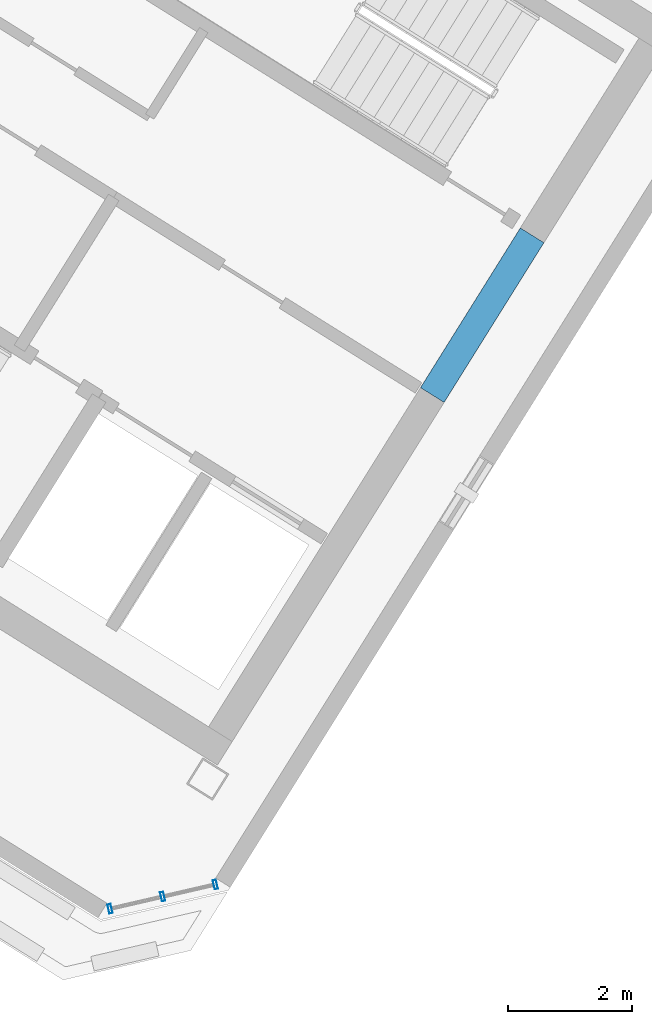
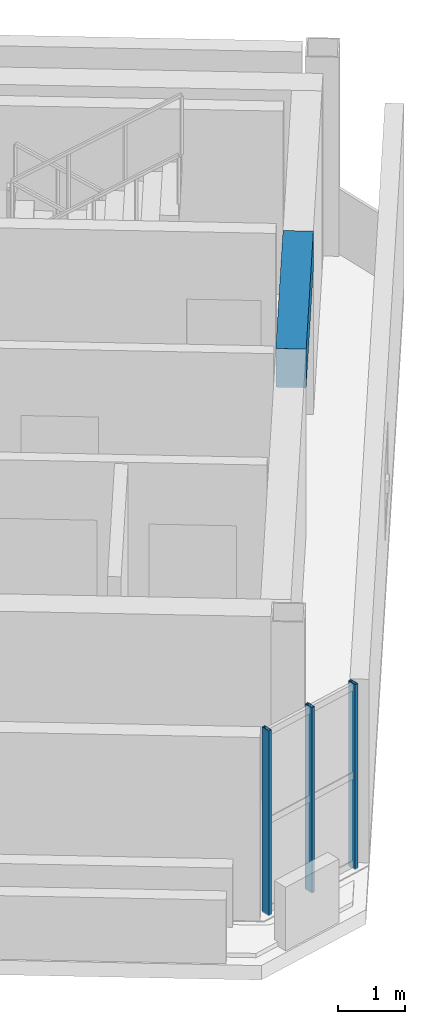
# One storey, part 2 of 7: 3 members, 1 beam, 1 element without a shape of its own.
"""IFC4 building model written with IfcOpenShell, lengths in metres."""

from ifc_helpers import new_model, si_unit, direction, frame, origin, origin_2d, place, context, subcontext, project, spatial, rectangle, hollow_rectangle, extrude, source, transform, mapped, material, material_profile, profile_set, type_object, element, aggregate, save


model = new_model("IFC4")

# Units and contexts
model_context = context("Model", 3, precision=1e-05, world=origin(), true_north=direction((0.0, 1.0)))
body_context = subcontext(model_context, "Body", "Model", "MODEL_VIEW")
ifc_project = project(units=[si_unit("LENGTHUNIT", "METRE"), si_unit("AREAUNIT", "SQUARE_METRE"), si_unit("VOLUMEUNIT", "CUBIC_METRE"), si_unit("PLANEANGLEUNIT", "RADIAN"), si_unit("MASSUNIT", "GRAM", prefix="KILO")], contexts=[model_context])

# Site, building, storey
site_placement = place(None, origin())
site = spatial("IfcSite", under=ifc_project, at=site_placement, CompositionType="ELEMENT")
building_placement = place(site_placement, origin())
building = spatial("IfcBuilding", under=site, at=building_placement, Name="Tlacorven Tower", CompositionType="ELEMENT")
storey_placement = place(building_placement, frame((0.0, 0.0, 309.60009765625)))
storey = spatial("IfcBuildingStorey", under=building, at=storey_placement, Name="L79", CompositionType="ELEMENT", Elevation=309.60009765625)

# Beam
ifc_material_1 = material(Name="Concrete C60/75", Category="concrete")
ifc_material_profile_1 = material_profile(ifc_material_1, rectangle(XDim=0.449951171875, YDim=0.699951171875, at=origin_2d()), Name="RC 450X700")
ifc_profile_set_1 = profile_set([ifc_material_profile_1], Name="Concrete C60/75")
beam_type = type_object("IfcBeamType", Name="BM-LNT-700", PredefinedType="LINTEL", material=ifc_profile_set_1)
shared_shape_1 = source(origin(), body_context, "Body", "SweptSolid", [
    extrude(rectangle(XDim=0.449951171875, YDim=0.699951171875, at=origin_2d()), origin(), (0.0, 0.0, 1.0), 3.050048828125),
])
beam_placement = place(storey_placement, frame((38.2998046875, 20.890625, 2.969970703125), z_axis=(-0.529984549635, -0.848007297815, 0.0), x_axis=(0.848007297815, -0.529984549635, 0.0)))
element("IfcBeam", 1, at=beam_placement, inside=storey, type_object=beam_type, Name="L79 W core coupling lintel beam E1", PredefinedType="LINTEL", context=body_context, shape_type="MappedRepresentation", body=[
    mapped(shared_shape_1, transform((0.0, 0.0, 0.0), scale=1.0)),
])

# Curtain wall, members
ifc_material_2 = material(Name="Dark solar low-E double glazing in aluminium frame", Category="aluminium")
curtain_wall_type = type_object("IfcCurtainWallType", Name="CW-CRN-LANTERN", PredefinedType="USERDEFINED", material=ifc_material_2)
curtain_wall_placement = place(storey_placement, origin())
curtain_wall = element("IfcCurtainWall", 2, at=curtain_wall_placement, inside=storey, type_object=curtain_wall_type, Name="L79 CW-CRN-LANTERN Curtain Wall 363", ObjectType="UNITISED CURTAIN WALL", PredefinedType="USERDEFINED")
ifc_material_3 = material(Name="Aluminium 6063-T6 anodised", Category="aluminium")
ifc_material_profile_2 = material_profile(ifc_material_3, hollow_rectangle(XDim=0.054931640625, YDim=0.14990234375, WallThickness=0.00390625, at=origin_2d()), Name="ALU MULLION 55X150")
ifc_profile_set_2 = profile_set([ifc_material_profile_2], Name="Aluminium 6063-T6 anodised")
member_type = type_object("IfcMemberType", Name="CWM-04", PredefinedType="MULLION", material=ifc_profile_set_2)
shared_shape_2 = source(origin(), body_context, "Body", "SweptSolid", [
    extrude(hollow_rectangle(XDim=0.054931640625, YDim=0.14990234375, WallThickness=0.00390625, at=origin_2d()), origin(), (0.0, 0.0, 1.0), 3.349853515625),
])
member_1_placement = place(storey_placement, frame((33.170166015625, 10.379638671875, -0.02001953125), z_axis=(0.0, 0.0, 1.0), x_axis=(-0.97437037555, -0.22494970827, 0.0)))
member_1 = element("IfcMember", 3, at=member_1_placement, type_object=member_type, Name="CW-L79-363 Mullion 1", PredefinedType="MULLION", context=body_context, shape_type="MappedRepresentation", body=[
    mapped(shared_shape_2, transform((0.0, 0.0, 0.0), scale=1.0)),
])
member_2_placement = place(storey_placement, frame((32.3173828125, 10.182861328125, -0.02001953125), z_axis=(0.0, 0.0, 1.0), x_axis=(-0.97437037555, -0.22494970827, 0.0)))
member_2 = element("IfcMember", 4, at=member_2_placement, type_object=member_type, Name="CW-L79-363 Mullion 2", PredefinedType="MULLION", context=body_context, shape_type="MappedRepresentation", body=[
    mapped(shared_shape_2, transform((0.0, 0.0, 0.0), scale=1.0)),
])
member_3_placement = place(storey_placement, frame((31.464599609375, 9.98583984375, -0.02001953125), z_axis=(0.0, 0.0, 1.0), x_axis=(-0.97437037555, -0.22494970827, 0.0)))
member_3 = element("IfcMember", 5, at=member_3_placement, type_object=member_type, Name="CW-L79-363 Mullion 3", PredefinedType="MULLION", context=body_context, shape_type="MappedRepresentation", body=[
    mapped(shared_shape_2, transform((0.0, 0.0, 0.0), scale=1.0)),
])
aggregate(curtain_wall, [member_1, member_2, member_3])

save(model, "model.ifc")
